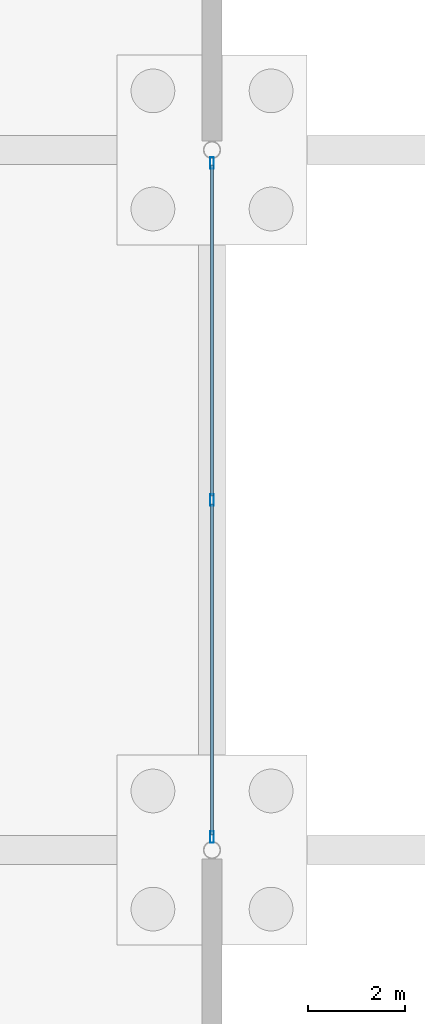
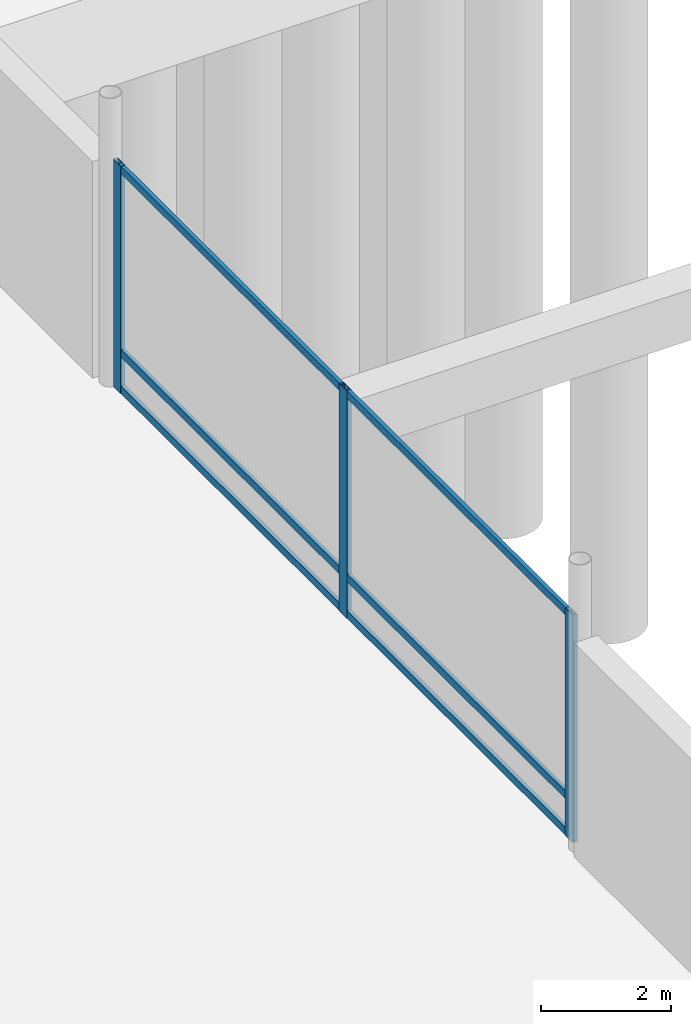
# One storey, part 65 of 192: 9 members, 1 element without a shape of its own.
"""IFC4 building model written with IfcOpenShell, lengths in metres."""

from ifc_helpers import new_model, si_unit, direction, frame, origin, origin_2d, place, context, subcontext, project, spatial, hollow_rectangle, extrude, material, material_profile, profile_set, type_object, element, aggregate, save


model = new_model("IFC4")

# Units and contexts
model_context = context("Model", 3, precision=1e-05, world=origin(), true_north=direction((0.0, 1.0)))
body_context = subcontext(model_context, "Body", "Model", "MODEL_VIEW")
ifc_project = project(units=[si_unit("LENGTHUNIT", "METRE"), si_unit("AREAUNIT", "SQUARE_METRE"), si_unit("VOLUMEUNIT", "CUBIC_METRE"), si_unit("PLANEANGLEUNIT", "RADIAN"), si_unit("MASSUNIT", "GRAM", prefix="KILO")], contexts=[model_context])

# Site, building, storey
site_placement = place(None, origin())
site = spatial("IfcSite", under=ifc_project, at=site_placement, CompositionType="ELEMENT")
building_placement = place(site_placement, origin())
building = spatial("IfcBuilding", under=site, at=building_placement, Name="Cendralis Lancet Convention Centre", CompositionType="ELEMENT")
storey_placement = place(building_placement, origin())
storey = spatial("IfcBuildingStorey", under=building, at=storey_placement, Name="L00", CompositionType="ELEMENT", Elevation=0.0)

# Curtain wall, members
ifc_material = material(Name="Anodised bronze architectural aluminium", Category="aluminium")
curtain_wall_type = type_object("IfcCurtainWallType", Name="ARC-CW-GB01", PredefinedType="USERDEFINED", material=ifc_material)
curtain_wall_placement = place(storey_placement, origin())
curtain_wall = element("IfcCurtainWall", 1, at=curtain_wall_placement, inside=storey, type_object=curtain_wall_type, Name="L00 Curtain Wall CW-GB1 #095", ObjectType="CURTAIN WALL", PredefinedType="USERDEFINED")
ifc_material_profile_1 = material_profile(ifc_material, hollow_rectangle(XDim=0.080078125, YDim=0.239990234375, WallThickness=0.0048828125, at=origin_2d()), Name="AL-MULL 80x240x5.0")
ifc_profile_set_1 = profile_set([ifc_material_profile_1], Name="Anodised bronze architectural aluminium")
member_type_1 = type_object("IfcMemberType", Name="ARC-CW-ML03", PredefinedType="MULLION", material=ifc_profile_set_1)
member_1_placement = place(storey_placement, frame((122.39990234375, 78.93212890625, 0.0), z_axis=(0.0, 0.0, 1.0), x_axis=(1.0, 0.0, 0.0)))
member_1 = element("IfcMember", 2, at=member_1_placement, type_object=member_type_1, Name="Mullion CW2-CW-GB1-L00-095-M0", PredefinedType="MULLION", context=body_context, shape_type="SweptSolid", body=[
    extrude(hollow_rectangle(XDim=0.080078125, YDim=0.239990234375, WallThickness=0.0048828125, at=origin_2d()), origin(), (0.0, 0.0, 1.0), 4.2548828125),
])
member_2_placement = place(storey_placement, frame((122.39990234375, 72.0, 0.0), z_axis=(0.0, 0.0, 1.0), x_axis=(1.0, 0.0, 0.0)))
member_2 = element("IfcMember", 3, at=member_2_placement, type_object=member_type_1, Name="Mullion CW2-CW-GB1-L00-095-M1", PredefinedType="MULLION", context=body_context, shape_type="SweptSolid", body=[
    extrude(hollow_rectangle(XDim=0.080078125, YDim=0.239990234375, WallThickness=0.0048828125, at=origin_2d()), origin(), (0.0, 0.0, 1.0), 4.2548828125),
])
member_3_placement = place(storey_placement, frame((122.39990234375, 65.06787109375, 0.0), z_axis=(0.0, 0.0, 1.0), x_axis=(1.0, 0.0, 0.0)))
member_3 = element("IfcMember", 4, at=member_3_placement, type_object=member_type_1, Name="Mullion CW2-CW-GB1-L00-095-M2", PredefinedType="MULLION", context=body_context, shape_type="SweptSolid", body=[
    extrude(hollow_rectangle(XDim=0.080078125, YDim=0.239990234375, WallThickness=0.0048828125, at=origin_2d()), origin(), (0.0, 0.0, 1.0), 4.2548828125),
])
ifc_material_profile_2 = material_profile(ifc_material, hollow_rectangle(XDim=0.070068359375, YDim=0.139892578125, WallThickness=0.00390625, at=origin_2d()), Name="AL-TRAN 70x140x4.0")
ifc_profile_set_2 = profile_set([ifc_material_profile_2], Name="Anodised bronze architectural aluminium")
member_type_2 = type_object("IfcMemberType", Name="ARC-CW-TR02", PredefinedType="USERDEFINED", material=ifc_profile_set_2)
member_4_placement = place(storey_placement, frame((122.39990234375, 78.89208984375, 0.070068359375), z_axis=(0.0, -1.0, 0.0), x_axis=(1.0, 0.0, 0.0)))
member_4 = element("IfcMember", 5, at=member_4_placement, type_object=member_type_2, Name="Transom CW2-CW-GB1-L00-095-T0BOT", ObjectType="TRANSOM", PredefinedType="USERDEFINED", context=body_context, shape_type="SweptSolid", body=[
    extrude(hollow_rectangle(XDim=0.070068359375, YDim=0.139892578125, WallThickness=0.00390625, at=origin_2d()), origin(), (0.0, 0.0, 1.0), 6.81201171875),
])
member_5_placement = place(storey_placement, frame((122.39990234375, 78.89208984375, 0.75), z_axis=(0.0, -1.0, 0.0), x_axis=(1.0, 0.0, 0.0)))
member_5 = element("IfcMember", 6, at=member_5_placement, type_object=member_type_2, Name="Transom CW2-CW-GB1-L00-095-T0MID", ObjectType="TRANSOM", PredefinedType="USERDEFINED", context=body_context, shape_type="SweptSolid", body=[
    extrude(hollow_rectangle(XDim=0.070068359375, YDim=0.139892578125, WallThickness=0.00390625, at=origin_2d()), origin(), (0.0, 0.0, 1.0), 6.81201171875),
])
member_6_placement = place(storey_placement, frame((122.39990234375, 78.89208984375, 4.18505859375), z_axis=(0.0, -1.0, 0.0), x_axis=(1.0, 0.0, 0.0)))
member_6 = element("IfcMember", 7, at=member_6_placement, type_object=member_type_2, Name="Transom CW2-CW-GB1-L00-095-T0TOP", ObjectType="TRANSOM", PredefinedType="USERDEFINED", context=body_context, shape_type="SweptSolid", body=[
    extrude(hollow_rectangle(XDim=0.070068359375, YDim=0.139892578125, WallThickness=0.00390625, at=origin_2d()), origin(), (0.0, 0.0, 1.0), 6.81201171875),
])
member_7_placement = place(storey_placement, frame((122.39990234375, 71.919921875, 0.070068359375), z_axis=(0.0, -1.0, 0.0), x_axis=(1.0, 0.0, 0.0)))
member_7 = element("IfcMember", 8, at=member_7_placement, type_object=member_type_2, Name="Transom CW2-CW-GB1-L00-095-T1BOT", ObjectType="TRANSOM", PredefinedType="USERDEFINED", context=body_context, shape_type="SweptSolid", body=[
    extrude(hollow_rectangle(XDim=0.070068359375, YDim=0.139892578125, WallThickness=0.00390625, at=origin_2d()), origin(), (0.0, 0.0, 1.0), 6.81201171875),
])
member_8_placement = place(storey_placement, frame((122.39990234375, 71.919921875, 0.75), z_axis=(0.0, -1.0, 0.0), x_axis=(1.0, 0.0, 0.0)))
member_8 = element("IfcMember", 9, at=member_8_placement, type_object=member_type_2, Name="Transom CW2-CW-GB1-L00-095-T1MID", ObjectType="TRANSOM", PredefinedType="USERDEFINED", context=body_context, shape_type="SweptSolid", body=[
    extrude(hollow_rectangle(XDim=0.070068359375, YDim=0.139892578125, WallThickness=0.00390625, at=origin_2d()), origin(), (0.0, 0.0, 1.0), 6.81201171875),
])
member_9_placement = place(storey_placement, frame((122.39990234375, 71.919921875, 4.18505859375), z_axis=(0.0, -1.0, 0.0), x_axis=(1.0, 0.0, 0.0)))
member_9 = element("IfcMember", 10, at=member_9_placement, type_object=member_type_2, Name="Transom CW2-CW-GB1-L00-095-T1TOP", ObjectType="TRANSOM", PredefinedType="USERDEFINED", context=body_context, shape_type="SweptSolid", body=[
    extrude(hollow_rectangle(XDim=0.070068359375, YDim=0.139892578125, WallThickness=0.00390625, at=origin_2d()), origin(), (0.0, 0.0, 1.0), 6.81201171875),
])
aggregate(curtain_wall, [member_1, member_2, member_3, member_4, member_5, member_6, member_7, member_8, member_9])

save(model, "model.ifc")
